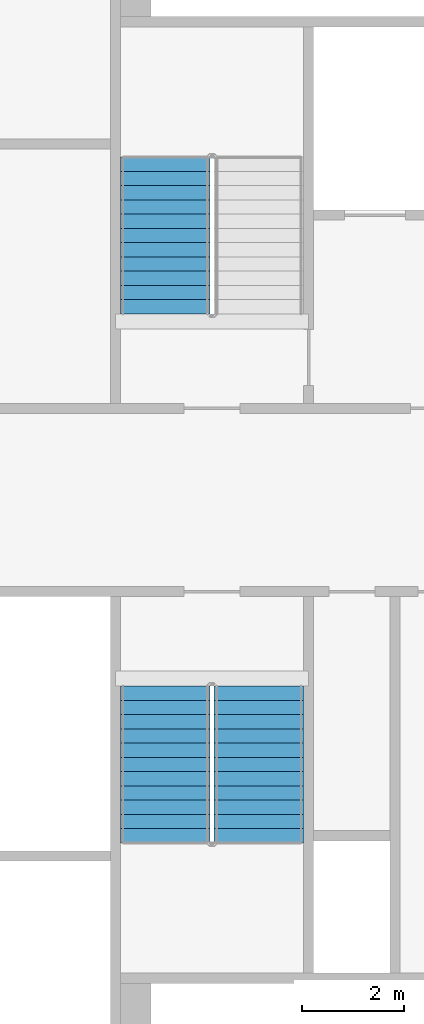
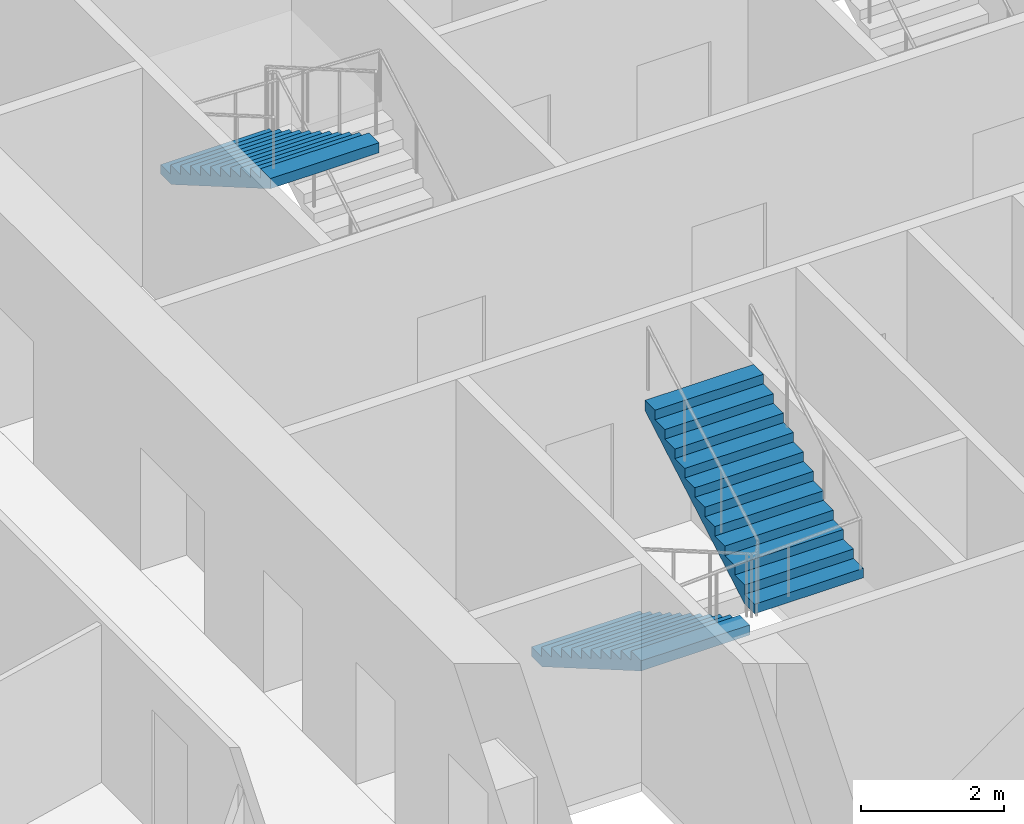
# One storey, part 14 of 22: 3 stair flights, 2 elements without a shape of their own.
"""IFC4 building model written with IfcOpenShell, lengths in metres."""

from ifc_helpers import new_model, si_unit, direction, frame, origin, place, context, subcontext, project, spatial, faceted_brep, material, type_object, element, aggregate, save


model = new_model("IFC4")

# Units and contexts
model_context = context("Model", 3, precision=1e-05, world=origin(), true_north=direction((0.0, 1.0)))
body_context = subcontext(model_context, "Body", "Model", "MODEL_VIEW")
ifc_project = project(units=[si_unit("LENGTHUNIT", "METRE"), si_unit("AREAUNIT", "SQUARE_METRE"), si_unit("VOLUMEUNIT", "CUBIC_METRE"), si_unit("PLANEANGLEUNIT", "RADIAN"), si_unit("MASSUNIT", "GRAM", prefix="KILO")], contexts=[model_context])

# Site, building, storey
site_placement = place(None, origin())
site = spatial("IfcSite", under=ifc_project, at=site_placement, CompositionType="ELEMENT")
building_placement = place(site_placement, origin())
building = spatial("IfcBuilding", under=site, at=building_placement, Name="Tarsis Ring Headquarters", CompositionType="ELEMENT")
storey_placement = place(building_placement, frame((0.0, 0.0, 116.199951171875)))
storey = spatial("IfcBuildingStorey", under=building, at=storey_placement, Name="L26", CompositionType="ELEMENT", Elevation=116.199951171875)

# Stair, stair flight
ifc_material_1 = material(Name="Core stair 1760")
stair_type = type_object("IfcStairType", Name="Core stair 1760", PredefinedType="HALF_TURN_STAIR", material=ifc_material_1)
stair_1_placement = place(storey_placement, origin())
stair_1 = element("IfcStair", 1, at=stair_1_placement, inside=storey, type_object=stair_type, Name="L26 Firefighting stair", PredefinedType="HALF_TURN_STAIR")
ifc_material_2 = material(Name="Concrete C40/50", Category="concrete")
stair_flight_type = type_object("IfcStairFlightType", Name="Core stair flight 1760", PredefinedType="STRAIGHT", material=ifc_material_2)
stair_flight_1_placement = place(storey_placement, frame((-5.419921875, 6.739990234375, 1.949951171875), z_axis=(0.0, 0.0, 1.0), x_axis=(0.0, -1.0, 0.0)))
stair_flight_1 = element("IfcStairFlight", 2, at=stair_flight_1_placement, type_object=stair_flight_type, Name="Stair ST1 flight 2", NumberOfRisers=12, NumberOfTreads=11, PredefinedType="STRAIGHT", RiserHeight=0.1625, TreadLength=0.28, context=body_context, shape_type="Brep", body=[
    faceted_brep([(0.0, 0.8798828125, 0.0), (0.0, 0.8798828125, 0.16259765625), (0.280029296875, 0.8798828125, 0.16259765625), (0.280029296875, 0.8798828125, 0.324951171875), (0.56005859375, 0.8798828125, 0.324951171875), (0.56005859375, 0.8798828125, 0.487548828125), (0.840087890625, 0.8798828125, 0.487548828125), (0.840087890625, 0.8798828125, 0.64990234375), (1.1201171875, 0.8798828125, 0.64990234375), (1.1201171875, 0.8798828125, 0.8125), (1.39990234375, 0.8798828125, 0.8125), (1.39990234375, 0.8798828125, 0.97509765625), (1.679931640625, 0.8798828125, 0.97509765625), (1.679931640625, 0.8798828125, 1.137451171875), (1.9599609375, 0.8798828125, 1.137451171875), (1.9599609375, 0.8798828125, 1.300048828125), (2.239990234375, 0.8798828125, 1.300048828125), (2.239990234375, 0.8798828125, 1.46240234375), (2.52001953125, 0.8798828125, 1.46240234375), (2.52001953125, 0.8798828125, 1.625), (2.800048828125, 0.8798828125, 1.625), (2.800048828125, 0.8798828125, 1.78759765625), (3.080078125, 0.8798828125, 1.78759765625), (3.080078125, 0.8798828125, 1.6142578125), (0.298583984375, 0.8798828125, 0.0), (0.298583984375, -0.8798828125, 0.0), (3.080078125, -0.8798828125, 1.6142578125), (3.080078125, -0.8798828125, 1.78759765625), (2.800048828125, -0.8798828125, 1.78759765625), (2.800048828125, -0.8798828125, 1.625), (2.52001953125, -0.8798828125, 1.625), (2.52001953125, -0.8798828125, 1.46240234375), (2.239990234375, -0.8798828125, 1.46240234375), (2.239990234375, -0.8798828125, 1.300048828125), (1.9599609375, -0.8798828125, 1.300048828125), (1.9599609375, -0.8798828125, 1.137451171875), (1.679931640625, -0.8798828125, 1.137451171875), (1.679931640625, -0.8798828125, 0.97509765625), (1.39990234375, -0.8798828125, 0.97509765625), (1.39990234375, -0.8798828125, 0.8125), (1.1201171875, -0.8798828125, 0.8125), (1.1201171875, -0.8798828125, 0.64990234375), (0.840087890625, -0.8798828125, 0.64990234375), (0.840087890625, -0.8798828125, 0.487548828125), (0.56005859375, -0.8798828125, 0.487548828125), (0.56005859375, -0.8798828125, 0.324951171875), (0.280029296875, -0.8798828125, 0.324951171875), (0.280029296875, -0.8798828125, 0.16259765625), (0.0, -0.8798828125, 0.16259765625), (0.0, -0.8798828125, 0.0), (0.0, -0.43994140625, 0.16259765625), (0.0, -0.43994140625, 0.0), (0.0, 0.0, 0.16259765625), (0.0, 0.0, 0.0), (0.0, 0.43994140625, 0.16259765625), (0.0, 0.43994140625, 0.0), (0.280029296875, -0.43994140625, 0.16259765625), (0.280029296875, 0.0, 0.16259765625), (0.280029296875, 0.43994140625, 0.16259765625), (0.280029296875, -0.43994140625, 0.324951171875), (0.280029296875, 0.0, 0.324951171875), (0.280029296875, 0.43994140625, 0.324951171875), (0.56005859375, -0.43994140625, 0.324951171875), (0.56005859375, 0.0, 0.324951171875), (0.56005859375, 0.43994140625, 0.324951171875), (0.56005859375, -0.43994140625, 0.487548828125), (0.56005859375, 0.0, 0.487548828125), (0.56005859375, 0.43994140625, 0.487548828125), (0.840087890625, -0.43994140625, 0.487548828125), (0.840087890625, 0.0, 0.487548828125), (0.840087890625, 0.43994140625, 0.487548828125), (0.840087890625, -0.43994140625, 0.64990234375), (0.840087890625, 0.0, 0.64990234375), (0.840087890625, 0.43994140625, 0.64990234375), (1.1201171875, -0.43994140625, 0.64990234375), (1.1201171875, 0.0, 0.64990234375), (1.1201171875, 0.43994140625, 0.64990234375), (1.1201171875, -0.43994140625, 0.8125), (1.1201171875, 0.0, 0.8125), (1.1201171875, 0.43994140625, 0.8125), (1.39990234375, -0.43994140625, 0.8125), (1.39990234375, 0.0, 0.8125), (1.39990234375, 0.43994140625, 0.8125), (1.39990234375, -0.43994140625, 0.97509765625), (1.39990234375, 0.0, 0.97509765625), (1.39990234375, 0.43994140625, 0.97509765625), (1.679931640625, -0.43994140625, 0.97509765625), (1.679931640625, 0.0, 0.97509765625), (1.679931640625, 0.43994140625, 0.97509765625), (1.679931640625, -0.43994140625, 1.137451171875), (1.679931640625, 0.0, 1.137451171875), (1.679931640625, 0.43994140625, 1.137451171875), (1.9599609375, -0.43994140625, 1.137451171875), (1.9599609375, 0.0, 1.137451171875), (1.9599609375, 0.43994140625, 1.137451171875), (1.9599609375, -0.43994140625, 1.300048828125), (1.9599609375, 0.0, 1.300048828125), (1.9599609375, 0.43994140625, 1.300048828125), (2.239990234375, -0.43994140625, 1.300048828125), (2.239990234375, 0.0, 1.300048828125), (2.239990234375, 0.43994140625, 1.300048828125), (2.239990234375, -0.43994140625, 1.46240234375), (2.239990234375, 0.0, 1.46240234375), (2.239990234375, 0.43994140625, 1.46240234375), (2.52001953125, -0.43994140625, 1.46240234375), (2.52001953125, 0.0, 1.46240234375), (2.52001953125, 0.43994140625, 1.46240234375), (2.52001953125, -0.43994140625, 1.625), (2.52001953125, 0.0, 1.625), (2.52001953125, 0.43994140625, 1.625), (2.800048828125, -0.43994140625, 1.625), (2.800048828125, 0.0, 1.625), (2.800048828125, 0.43994140625, 1.625), (2.800048828125, -0.43994140625, 1.78759765625), (2.800048828125, 0.0, 1.78759765625), (2.800048828125, 0.43994140625, 1.78759765625), (3.080078125, -0.43994140625, 1.78759765625), (3.080078125, 0.0, 1.78759765625), (3.080078125, 0.43994140625, 1.78759765625), (3.080078125, -0.43994140625, 1.6142578125), (3.080078125, 0.0, 1.6142578125), (3.080078125, 0.43994140625, 1.6142578125), (0.298583984375, -0.43994140625, 0.0), (0.298583984375, 0.0, 0.0), (0.298583984375, 0.43994140625, 0.0)], [[[0, 1, 2, 3, 4, 5, 6, 7, 8, 9, 10, 11, 12, 13, 14, 15, 16, 17, 18, 19, 20, 21, 22, 23, 24]], [[25, 26, 27, 28, 29, 30, 31, 32, 33, 34, 35, 36, 37, 38, 39, 40, 41, 42, 43, 44, 45, 46, 47, 48, 49]], [[49, 48, 50, 51]], [[51, 50, 52, 53]], [[53, 52, 54, 55]], [[55, 54, 1, 0]], [[48, 47, 56, 50]], [[50, 56, 57, 52]], [[52, 57, 58, 54]], [[54, 58, 2, 1]], [[47, 46, 59, 56]], [[56, 59, 60, 57]], [[57, 60, 61, 58]], [[58, 61, 3, 2]], [[46, 45, 62, 59]], [[59, 62, 63, 60]], [[60, 63, 64, 61]], [[61, 64, 4, 3]], [[45, 44, 65, 62]], [[62, 65, 66, 63]], [[63, 66, 67, 64]], [[64, 67, 5, 4]], [[44, 43, 68, 65]], [[65, 68, 69, 66]], [[66, 69, 70, 67]], [[67, 70, 6, 5]], [[43, 42, 71, 68]], [[68, 71, 72, 69]], [[69, 72, 73, 70]], [[70, 73, 7, 6]], [[42, 41, 74, 71]], [[71, 74, 75, 72]], [[72, 75, 76, 73]], [[73, 76, 8, 7]], [[41, 40, 77, 74]], [[74, 77, 78, 75]], [[75, 78, 79, 76]], [[76, 79, 9, 8]], [[40, 39, 80, 77]], [[77, 80, 81, 78]], [[78, 81, 82, 79]], [[79, 82, 10, 9]], [[39, 38, 83, 80]], [[80, 83, 84, 81]], [[81, 84, 85, 82]], [[82, 85, 11, 10]], [[38, 37, 86, 83]], [[83, 86, 87, 84]], [[84, 87, 88, 85]], [[85, 88, 12, 11]], [[37, 36, 89, 86]], [[86, 89, 90, 87]], [[87, 90, 91, 88]], [[88, 91, 13, 12]], [[36, 35, 92, 89]], [[89, 92, 93, 90]], [[90, 93, 94, 91]], [[91, 94, 14, 13]], [[35, 34, 95, 92]], [[92, 95, 96, 93]], [[93, 96, 97, 94]], [[94, 97, 15, 14]], [[34, 33, 98, 95]], [[95, 98, 99, 96]], [[96, 99, 100, 97]], [[97, 100, 16, 15]], [[33, 32, 101, 98]], [[98, 101, 102, 99]], [[99, 102, 103, 100]], [[100, 103, 17, 16]], [[32, 31, 104, 101]], [[101, 104, 105, 102]], [[102, 105, 106, 103]], [[103, 106, 18, 17]], [[31, 30, 107, 104]], [[104, 107, 108, 105]], [[105, 108, 109, 106]], [[106, 109, 19, 18]], [[30, 29, 110, 107]], [[107, 110, 111, 108]], [[108, 111, 112, 109]], [[109, 112, 20, 19]], [[29, 28, 113, 110]], [[110, 113, 114, 111]], [[111, 114, 115, 112]], [[112, 115, 21, 20]], [[28, 27, 116, 113]], [[113, 116, 117, 114]], [[114, 117, 118, 115]], [[115, 118, 22, 21]], [[27, 26, 119, 116]], [[116, 119, 120, 117]], [[117, 120, 121, 118]], [[118, 121, 23, 22]], [[26, 25, 122, 119]], [[119, 122, 123, 120]], [[120, 123, 124, 121]], [[121, 124, 24, 23]], [[25, 49, 51, 122]], [[122, 51, 53, 123]], [[123, 53, 55, 124]], [[124, 55, 0, 24]]]),
])
aggregate(stair_1, [stair_flight_1])

# Stair, stair flights
stair_2_placement = place(storey_placement, origin())
stair_2 = element("IfcStair", 3, at=stair_2_placement, inside=storey, type_object=stair_type, Name="L26 Exit stair C", PredefinedType="HALF_TURN_STAIR")
stair_flight_2_placement = place(storey_placement, frame((-5.419921875, -3.659912109375, 0.0), z_axis=(0.0, 0.0, 1.0), x_axis=(0.0, -1.0, 0.0)))
stair_flight_2 = element("IfcStairFlight", 4, at=stair_flight_2_placement, type_object=stair_flight_type, Name="Stair ST3 flight 1", NumberOfRisers=12, NumberOfTreads=11, PredefinedType="STRAIGHT", RiserHeight=0.1625, TreadLength=0.28, context=body_context, shape_type="Brep", body=[
    faceted_brep([(0.0, 0.8798828125, 0.0), (0.0, 0.8798828125, 0.16259765625), (0.280029296875, 0.8798828125, 0.16259765625), (0.280029296875, 0.8798828125, 0.324951171875), (0.56005859375, 0.8798828125, 0.324951171875), (0.56005859375, 0.8798828125, 0.487548828125), (0.840087890625, 0.8798828125, 0.487548828125), (0.840087890625, 0.8798828125, 0.64990234375), (1.1201171875, 0.8798828125, 0.64990234375), (1.1201171875, 0.8798828125, 0.8125), (1.39990234375, 0.8798828125, 0.8125), (1.39990234375, 0.8798828125, 0.97509765625), (1.679931640625, 0.8798828125, 0.97509765625), (1.679931640625, 0.8798828125, 1.137451171875), (1.9599609375, 0.8798828125, 1.137451171875), (1.9599609375, 0.8798828125, 1.300048828125), (2.239990234375, 0.8798828125, 1.300048828125), (2.239990234375, 0.8798828125, 1.46240234375), (2.52001953125, 0.8798828125, 1.46240234375), (2.52001953125, 0.8798828125, 1.625), (2.800048828125, 0.8798828125, 1.625), (2.800048828125, 0.8798828125, 1.78759765625), (3.080078125, 0.8798828125, 1.78759765625), (3.080078125, 0.8798828125, 1.6142578125), (0.298583984375, 0.8798828125, 0.0), (0.298583984375, -0.8798828125, 0.0), (3.080078125, -0.8798828125, 1.6142578125), (3.080078125, -0.8798828125, 1.78759765625), (2.800048828125, -0.8798828125, 1.78759765625), (2.800048828125, -0.8798828125, 1.625), (2.52001953125, -0.8798828125, 1.625), (2.52001953125, -0.8798828125, 1.46240234375), (2.239990234375, -0.8798828125, 1.46240234375), (2.239990234375, -0.8798828125, 1.300048828125), (1.9599609375, -0.8798828125, 1.300048828125), (1.9599609375, -0.8798828125, 1.137451171875), (1.679931640625, -0.8798828125, 1.137451171875), (1.679931640625, -0.8798828125, 0.97509765625), (1.39990234375, -0.8798828125, 0.97509765625), (1.39990234375, -0.8798828125, 0.8125), (1.1201171875, -0.8798828125, 0.8125), (1.1201171875, -0.8798828125, 0.64990234375), (0.840087890625, -0.8798828125, 0.64990234375), (0.840087890625, -0.8798828125, 0.487548828125), (0.56005859375, -0.8798828125, 0.487548828125), (0.56005859375, -0.8798828125, 0.324951171875), (0.280029296875, -0.8798828125, 0.324951171875), (0.280029296875, -0.8798828125, 0.16259765625), (0.0, -0.8798828125, 0.16259765625), (0.0, -0.8798828125, 0.0), (0.0, -0.43994140625, 0.16259765625), (0.0, -0.43994140625, 0.0), (0.0, 0.0, 0.16259765625), (0.0, 0.0, 0.0), (0.0, 0.43994140625, 0.16259765625), (0.0, 0.43994140625, 0.0), (0.280029296875, -0.43994140625, 0.16259765625), (0.280029296875, 0.0, 0.16259765625), (0.280029296875, 0.43994140625, 0.16259765625), (0.280029296875, -0.43994140625, 0.324951171875), (0.280029296875, 0.0, 0.324951171875), (0.280029296875, 0.43994140625, 0.324951171875), (0.56005859375, -0.43994140625, 0.324951171875), (0.56005859375, 0.0, 0.324951171875), (0.56005859375, 0.43994140625, 0.324951171875), (0.56005859375, -0.43994140625, 0.487548828125), (0.56005859375, 0.0, 0.487548828125), (0.56005859375, 0.43994140625, 0.487548828125), (0.840087890625, -0.43994140625, 0.487548828125), (0.840087890625, 0.0, 0.487548828125), (0.840087890625, 0.43994140625, 0.487548828125), (0.840087890625, -0.43994140625, 0.64990234375), (0.840087890625, 0.0, 0.64990234375), (0.840087890625, 0.43994140625, 0.64990234375), (1.1201171875, -0.43994140625, 0.64990234375), (1.1201171875, 0.0, 0.64990234375), (1.1201171875, 0.43994140625, 0.64990234375), (1.1201171875, -0.43994140625, 0.8125), (1.1201171875, 0.0, 0.8125), (1.1201171875, 0.43994140625, 0.8125), (1.39990234375, -0.43994140625, 0.8125), (1.39990234375, 0.0, 0.8125), (1.39990234375, 0.43994140625, 0.8125), (1.39990234375, -0.43994140625, 0.97509765625), (1.39990234375, 0.0, 0.97509765625), (1.39990234375, 0.43994140625, 0.97509765625), (1.679931640625, -0.43994140625, 0.97509765625), (1.679931640625, 0.0, 0.97509765625), (1.679931640625, 0.43994140625, 0.97509765625), (1.679931640625, -0.43994140625, 1.137451171875), (1.679931640625, 0.0, 1.137451171875), (1.679931640625, 0.43994140625, 1.137451171875), (1.9599609375, -0.43994140625, 1.137451171875), (1.9599609375, 0.0, 1.137451171875), (1.9599609375, 0.43994140625, 1.137451171875), (1.9599609375, -0.43994140625, 1.300048828125), (1.9599609375, 0.0, 1.300048828125), (1.9599609375, 0.43994140625, 1.300048828125), (2.239990234375, -0.43994140625, 1.300048828125), (2.239990234375, 0.0, 1.300048828125), (2.239990234375, 0.43994140625, 1.300048828125), (2.239990234375, -0.43994140625, 1.46240234375), (2.239990234375, 0.0, 1.46240234375), (2.239990234375, 0.43994140625, 1.46240234375), (2.52001953125, -0.43994140625, 1.46240234375), (2.52001953125, 0.0, 1.46240234375), (2.52001953125, 0.43994140625, 1.46240234375), (2.52001953125, -0.43994140625, 1.625), (2.52001953125, 0.0, 1.625), (2.52001953125, 0.43994140625, 1.625), (2.800048828125, -0.43994140625, 1.625), (2.800048828125, 0.0, 1.625), (2.800048828125, 0.43994140625, 1.625), (2.800048828125, -0.43994140625, 1.78759765625), (2.800048828125, 0.0, 1.78759765625), (2.800048828125, 0.43994140625, 1.78759765625), (3.080078125, -0.43994140625, 1.78759765625), (3.080078125, 0.0, 1.78759765625), (3.080078125, 0.43994140625, 1.78759765625), (3.080078125, -0.43994140625, 1.6142578125), (3.080078125, 0.0, 1.6142578125), (3.080078125, 0.43994140625, 1.6142578125), (0.298583984375, -0.43994140625, 0.0), (0.298583984375, 0.0, 0.0), (0.298583984375, 0.43994140625, 0.0)], [[[0, 1, 2, 3, 4, 5, 6, 7, 8, 9, 10, 11, 12, 13, 14, 15, 16, 17, 18, 19, 20, 21, 22, 23, 24]], [[25, 26, 27, 28, 29, 30, 31, 32, 33, 34, 35, 36, 37, 38, 39, 40, 41, 42, 43, 44, 45, 46, 47, 48, 49]], [[49, 48, 50, 51]], [[51, 50, 52, 53]], [[53, 52, 54, 55]], [[55, 54, 1, 0]], [[48, 47, 56, 50]], [[50, 56, 57, 52]], [[52, 57, 58, 54]], [[54, 58, 2, 1]], [[47, 46, 59, 56]], [[56, 59, 60, 57]], [[57, 60, 61, 58]], [[58, 61, 3, 2]], [[46, 45, 62, 59]], [[59, 62, 63, 60]], [[60, 63, 64, 61]], [[61, 64, 4, 3]], [[45, 44, 65, 62]], [[62, 65, 66, 63]], [[63, 66, 67, 64]], [[64, 67, 5, 4]], [[44, 43, 68, 65]], [[65, 68, 69, 66]], [[66, 69, 70, 67]], [[67, 70, 6, 5]], [[43, 42, 71, 68]], [[68, 71, 72, 69]], [[69, 72, 73, 70]], [[70, 73, 7, 6]], [[42, 41, 74, 71]], [[71, 74, 75, 72]], [[72, 75, 76, 73]], [[73, 76, 8, 7]], [[41, 40, 77, 74]], [[74, 77, 78, 75]], [[75, 78, 79, 76]], [[76, 79, 9, 8]], [[40, 39, 80, 77]], [[77, 80, 81, 78]], [[78, 81, 82, 79]], [[79, 82, 10, 9]], [[39, 38, 83, 80]], [[80, 83, 84, 81]], [[81, 84, 85, 82]], [[82, 85, 11, 10]], [[38, 37, 86, 83]], [[83, 86, 87, 84]], [[84, 87, 88, 85]], [[85, 88, 12, 11]], [[37, 36, 89, 86]], [[86, 89, 90, 87]], [[87, 90, 91, 88]], [[88, 91, 13, 12]], [[36, 35, 92, 89]], [[89, 92, 93, 90]], [[90, 93, 94, 91]], [[91, 94, 14, 13]], [[35, 34, 95, 92]], [[92, 95, 96, 93]], [[93, 96, 97, 94]], [[94, 97, 15, 14]], [[34, 33, 98, 95]], [[95, 98, 99, 96]], [[96, 99, 100, 97]], [[97, 100, 16, 15]], [[33, 32, 101, 98]], [[98, 101, 102, 99]], [[99, 102, 103, 100]], [[100, 103, 17, 16]], [[32, 31, 104, 101]], [[101, 104, 105, 102]], [[102, 105, 106, 103]], [[103, 106, 18, 17]], [[31, 30, 107, 104]], [[104, 107, 108, 105]], [[105, 108, 109, 106]], [[106, 109, 19, 18]], [[30, 29, 110, 107]], [[107, 110, 111, 108]], [[108, 111, 112, 109]], [[109, 112, 20, 19]], [[29, 28, 113, 110]], [[110, 113, 114, 111]], [[111, 114, 115, 112]], [[112, 115, 21, 20]], [[28, 27, 116, 113]], [[113, 116, 117, 114]], [[114, 117, 118, 115]], [[115, 118, 22, 21]], [[27, 26, 119, 116]], [[116, 119, 120, 117]], [[117, 120, 121, 118]], [[118, 121, 23, 22]], [[26, 25, 122, 119]], [[119, 122, 123, 120]], [[120, 123, 124, 121]], [[121, 124, 24, 23]], [[25, 49, 51, 122]], [[122, 51, 53, 123]], [[123, 53, 55, 124]], [[124, 55, 0, 24]]]),
])
stair_flight_3_placement = place(storey_placement, frame((-3.580078125, -6.739990234375, 1.949951171875), z_axis=(0.0, 0.0, 1.0), x_axis=(0.0, 1.0, 0.0)))
stair_flight_3 = element("IfcStairFlight", 5, at=stair_flight_3_placement, type_object=stair_flight_type, Name="Stair ST3 flight 2", NumberOfRisers=12, NumberOfTreads=11, PredefinedType="STRAIGHT", RiserHeight=0.1625, TreadLength=0.28, context=body_context, shape_type="Brep", body=[
    faceted_brep([(0.0, 0.8798828125, 0.0), (0.0, 0.8798828125, 0.16259765625), (0.280029296875, 0.8798828125, 0.16259765625), (0.280029296875, 0.8798828125, 0.324951171875), (0.56005859375, 0.8798828125, 0.324951171875), (0.56005859375, 0.8798828125, 0.487548828125), (0.840087890625, 0.8798828125, 0.487548828125), (0.840087890625, 0.8798828125, 0.64990234375), (1.1201171875, 0.8798828125, 0.64990234375), (1.1201171875, 0.8798828125, 0.8125), (1.39990234375, 0.8798828125, 0.8125), (1.39990234375, 0.8798828125, 0.97509765625), (1.679931640625, 0.8798828125, 0.97509765625), (1.679931640625, 0.8798828125, 1.137451171875), (1.9599609375, 0.8798828125, 1.137451171875), (1.9599609375, 0.8798828125, 1.300048828125), (2.239990234375, 0.8798828125, 1.300048828125), (2.239990234375, 0.8798828125, 1.46240234375), (2.52001953125, 0.8798828125, 1.46240234375), (2.52001953125, 0.8798828125, 1.625), (2.800048828125, 0.8798828125, 1.625), (2.800048828125, 0.8798828125, 1.78759765625), (3.080078125, 0.8798828125, 1.78759765625), (3.080078125, 0.8798828125, 1.6142578125), (0.298583984375, 0.8798828125, 0.0), (0.298583984375, -0.8798828125, 0.0), (3.080078125, -0.8798828125, 1.6142578125), (3.080078125, -0.8798828125, 1.78759765625), (2.800048828125, -0.8798828125, 1.78759765625), (2.800048828125, -0.8798828125, 1.625), (2.52001953125, -0.8798828125, 1.625), (2.52001953125, -0.8798828125, 1.46240234375), (2.239990234375, -0.8798828125, 1.46240234375), (2.239990234375, -0.8798828125, 1.300048828125), (1.9599609375, -0.8798828125, 1.300048828125), (1.9599609375, -0.8798828125, 1.137451171875), (1.679931640625, -0.8798828125, 1.137451171875), (1.679931640625, -0.8798828125, 0.97509765625), (1.39990234375, -0.8798828125, 0.97509765625), (1.39990234375, -0.8798828125, 0.8125), (1.1201171875, -0.8798828125, 0.8125), (1.1201171875, -0.8798828125, 0.64990234375), (0.840087890625, -0.8798828125, 0.64990234375), (0.840087890625, -0.8798828125, 0.487548828125), (0.56005859375, -0.8798828125, 0.487548828125), (0.56005859375, -0.8798828125, 0.324951171875), (0.280029296875, -0.8798828125, 0.324951171875), (0.280029296875, -0.8798828125, 0.16259765625), (0.0, -0.8798828125, 0.16259765625), (0.0, -0.8798828125, 0.0), (0.0, -0.43994140625, 0.16259765625), (0.0, -0.43994140625, 0.0), (0.0, 0.0, 0.16259765625), (0.0, 0.0, 0.0), (0.0, 0.43994140625, 0.16259765625), (0.0, 0.43994140625, 0.0), (0.280029296875, -0.43994140625, 0.16259765625), (0.280029296875, 0.0, 0.16259765625), (0.280029296875, 0.43994140625, 0.16259765625), (0.280029296875, -0.43994140625, 0.324951171875), (0.280029296875, 0.0, 0.324951171875), (0.280029296875, 0.43994140625, 0.324951171875), (0.56005859375, -0.43994140625, 0.324951171875), (0.56005859375, 0.0, 0.324951171875), (0.56005859375, 0.43994140625, 0.324951171875), (0.56005859375, -0.43994140625, 0.487548828125), (0.56005859375, 0.0, 0.487548828125), (0.56005859375, 0.43994140625, 0.487548828125), (0.840087890625, -0.43994140625, 0.487548828125), (0.840087890625, 0.0, 0.487548828125), (0.840087890625, 0.43994140625, 0.487548828125), (0.840087890625, -0.43994140625, 0.64990234375), (0.840087890625, 0.0, 0.64990234375), (0.840087890625, 0.43994140625, 0.64990234375), (1.1201171875, -0.43994140625, 0.64990234375), (1.1201171875, 0.0, 0.64990234375), (1.1201171875, 0.43994140625, 0.64990234375), (1.1201171875, -0.43994140625, 0.8125), (1.1201171875, 0.0, 0.8125), (1.1201171875, 0.43994140625, 0.8125), (1.39990234375, -0.43994140625, 0.8125), (1.39990234375, 0.0, 0.8125), (1.39990234375, 0.43994140625, 0.8125), (1.39990234375, -0.43994140625, 0.97509765625), (1.39990234375, 0.0, 0.97509765625), (1.39990234375, 0.43994140625, 0.97509765625), (1.679931640625, -0.43994140625, 0.97509765625), (1.679931640625, 0.0, 0.97509765625), (1.679931640625, 0.43994140625, 0.97509765625), (1.679931640625, -0.43994140625, 1.137451171875), (1.679931640625, 0.0, 1.137451171875), (1.679931640625, 0.43994140625, 1.137451171875), (1.9599609375, -0.43994140625, 1.137451171875), (1.9599609375, 0.0, 1.137451171875), (1.9599609375, 0.43994140625, 1.137451171875), (1.9599609375, -0.43994140625, 1.300048828125), (1.9599609375, 0.0, 1.300048828125), (1.9599609375, 0.43994140625, 1.300048828125), (2.239990234375, -0.43994140625, 1.300048828125), (2.239990234375, 0.0, 1.300048828125), (2.239990234375, 0.43994140625, 1.300048828125), (2.239990234375, -0.43994140625, 1.46240234375), (2.239990234375, 0.0, 1.46240234375), (2.239990234375, 0.43994140625, 1.46240234375), (2.52001953125, -0.43994140625, 1.46240234375), (2.52001953125, 0.0, 1.46240234375), (2.52001953125, 0.43994140625, 1.46240234375), (2.52001953125, -0.43994140625, 1.625), (2.52001953125, 0.0, 1.625), (2.52001953125, 0.43994140625, 1.625), (2.800048828125, -0.43994140625, 1.625), (2.800048828125, 0.0, 1.625), (2.800048828125, 0.43994140625, 1.625), (2.800048828125, -0.43994140625, 1.78759765625), (2.800048828125, 0.0, 1.78759765625), (2.800048828125, 0.43994140625, 1.78759765625), (3.080078125, -0.43994140625, 1.78759765625), (3.080078125, 0.0, 1.78759765625), (3.080078125, 0.43994140625, 1.78759765625), (3.080078125, -0.43994140625, 1.6142578125), (3.080078125, 0.0, 1.6142578125), (3.080078125, 0.43994140625, 1.6142578125), (0.298583984375, -0.43994140625, 0.0), (0.298583984375, 0.0, 0.0), (0.298583984375, 0.43994140625, 0.0)], [[[0, 1, 2, 3, 4, 5, 6, 7, 8, 9, 10, 11, 12, 13, 14, 15, 16, 17, 18, 19, 20, 21, 22, 23, 24]], [[25, 26, 27, 28, 29, 30, 31, 32, 33, 34, 35, 36, 37, 38, 39, 40, 41, 42, 43, 44, 45, 46, 47, 48, 49]], [[49, 48, 50, 51]], [[51, 50, 52, 53]], [[53, 52, 54, 55]], [[55, 54, 1, 0]], [[48, 47, 56, 50]], [[50, 56, 57, 52]], [[52, 57, 58, 54]], [[54, 58, 2, 1]], [[47, 46, 59, 56]], [[56, 59, 60, 57]], [[57, 60, 61, 58]], [[58, 61, 3, 2]], [[46, 45, 62, 59]], [[59, 62, 63, 60]], [[60, 63, 64, 61]], [[61, 64, 4, 3]], [[45, 44, 65, 62]], [[62, 65, 66, 63]], [[63, 66, 67, 64]], [[64, 67, 5, 4]], [[44, 43, 68, 65]], [[65, 68, 69, 66]], [[66, 69, 70, 67]], [[67, 70, 6, 5]], [[43, 42, 71, 68]], [[68, 71, 72, 69]], [[69, 72, 73, 70]], [[70, 73, 7, 6]], [[42, 41, 74, 71]], [[71, 74, 75, 72]], [[72, 75, 76, 73]], [[73, 76, 8, 7]], [[41, 40, 77, 74]], [[74, 77, 78, 75]], [[75, 78, 79, 76]], [[76, 79, 9, 8]], [[40, 39, 80, 77]], [[77, 80, 81, 78]], [[78, 81, 82, 79]], [[79, 82, 10, 9]], [[39, 38, 83, 80]], [[80, 83, 84, 81]], [[81, 84, 85, 82]], [[82, 85, 11, 10]], [[38, 37, 86, 83]], [[83, 86, 87, 84]], [[84, 87, 88, 85]], [[85, 88, 12, 11]], [[37, 36, 89, 86]], [[86, 89, 90, 87]], [[87, 90, 91, 88]], [[88, 91, 13, 12]], [[36, 35, 92, 89]], [[89, 92, 93, 90]], [[90, 93, 94, 91]], [[91, 94, 14, 13]], [[35, 34, 95, 92]], [[92, 95, 96, 93]], [[93, 96, 97, 94]], [[94, 97, 15, 14]], [[34, 33, 98, 95]], [[95, 98, 99, 96]], [[96, 99, 100, 97]], [[97, 100, 16, 15]], [[33, 32, 101, 98]], [[98, 101, 102, 99]], [[99, 102, 103, 100]], [[100, 103, 17, 16]], [[32, 31, 104, 101]], [[101, 104, 105, 102]], [[102, 105, 106, 103]], [[103, 106, 18, 17]], [[31, 30, 107, 104]], [[104, 107, 108, 105]], [[105, 108, 109, 106]], [[106, 109, 19, 18]], [[30, 29, 110, 107]], [[107, 110, 111, 108]], [[108, 111, 112, 109]], [[109, 112, 20, 19]], [[29, 28, 113, 110]], [[110, 113, 114, 111]], [[111, 114, 115, 112]], [[112, 115, 21, 20]], [[28, 27, 116, 113]], [[113, 116, 117, 114]], [[114, 117, 118, 115]], [[115, 118, 22, 21]], [[27, 26, 119, 116]], [[116, 119, 120, 117]], [[117, 120, 121, 118]], [[118, 121, 23, 22]], [[26, 25, 122, 119]], [[119, 122, 123, 120]], [[120, 123, 124, 121]], [[121, 124, 24, 23]], [[25, 49, 51, 122]], [[122, 51, 53, 123]], [[123, 53, 55, 124]], [[124, 55, 0, 24]]]),
])
aggregate(stair_2, [stair_flight_2, stair_flight_3])

save(model, "model.ifc")
